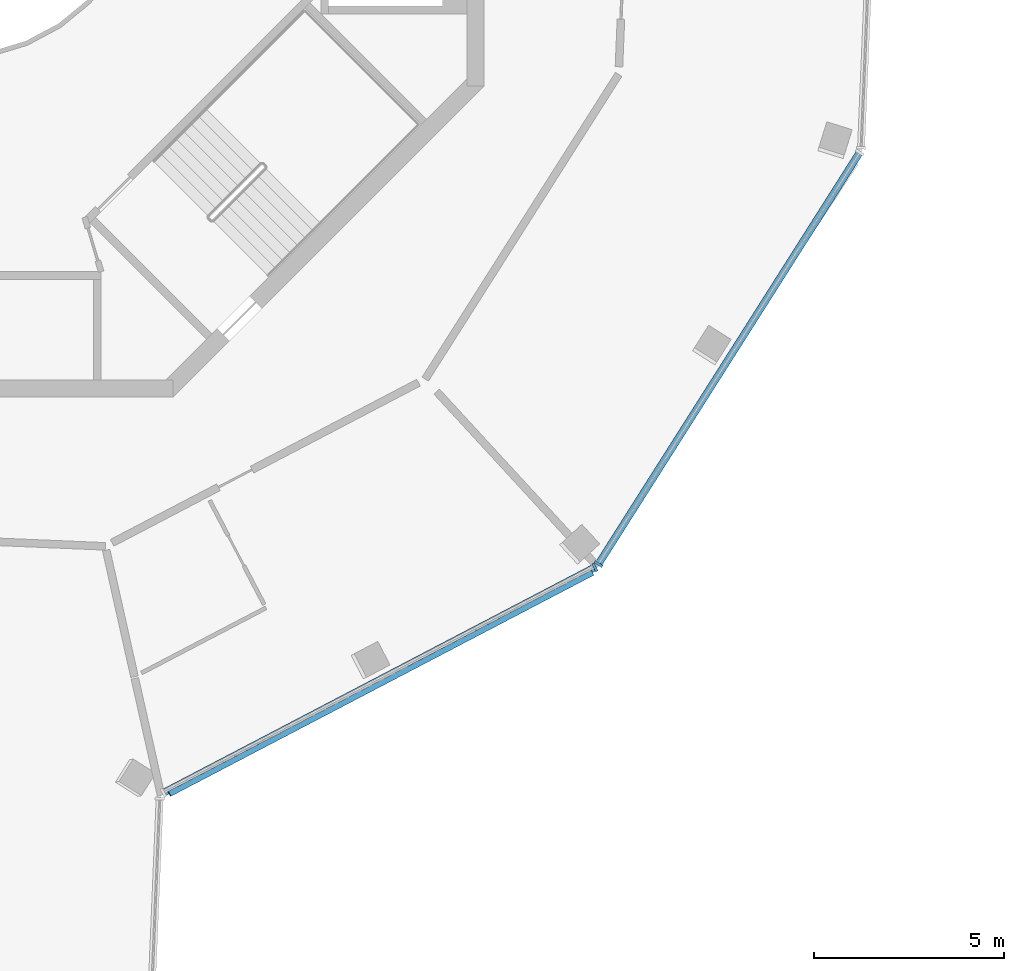
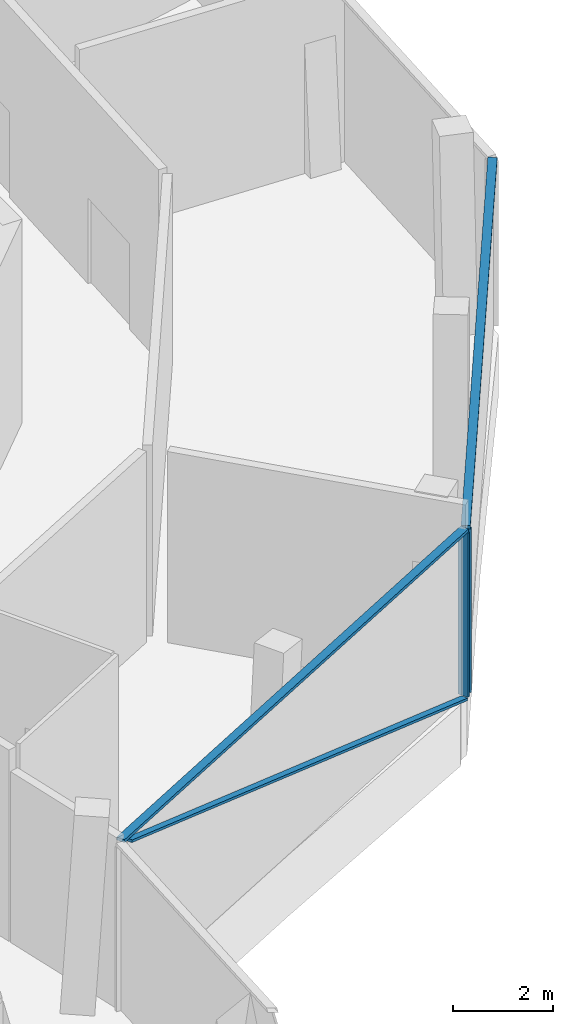
# One storey, part 3 of 21: 5 members, 2 elements without a shape of their own.
"""IFC4 building model written with IfcOpenShell, lengths in metres."""

from ifc_helpers import new_model, si_unit, direction, frame, origin, origin_2d, place, context, subcontext, project, spatial, rectangle, extrude, material, layer, layer_set, material_profile, profile_set, type_object, element, aggregate, save


model = new_model("IFC4")

# Units and contexts
model_context = context("Model", 3, precision=1e-05, world=origin(), true_north=direction((0.0, 1.0)))
body_context = subcontext(model_context, "Body", "Model", "MODEL_VIEW")
ifc_project = project(units=[si_unit("LENGTHUNIT", "METRE"), si_unit("AREAUNIT", "SQUARE_METRE"), si_unit("VOLUMEUNIT", "CUBIC_METRE"), si_unit("PLANEANGLEUNIT", "RADIAN"), si_unit("MASSUNIT", "GRAM", prefix="KILO")], contexts=[model_context])

# Site, building, storey
site_placement = place(None, origin())
site = spatial("IfcSite", under=ifc_project, at=site_placement, CompositionType="ELEMENT")
building_placement = place(site_placement, origin())
building = spatial("IfcBuilding", under=site, at=building_placement, Name="Verdalira Terraces Hotel", CompositionType="ELEMENT")
storey_placement = place(building_placement, frame((0.0, 0.0, 269.0)))
storey = spatial("IfcBuildingStorey", under=building, at=storey_placement, Name="L66", CompositionType="ELEMENT", Elevation=269.0)

# Curtain wall, member
ifc_material_1 = material(Name="Clear glass", Category="glass")
ifc_layer = layer(ifc_material_1, 0.239990234375)
ifc_layer_set = layer_set([ifc_layer], Name="CW5 curtain wall")
curtain_wall_type = type_object("IfcCurtainWallType", Name="CW5 curtain wall", PredefinedType="NOTDEFINED", material=ifc_layer_set)
curtain_wall_1_placement = place(storey_placement, origin())
curtain_wall_1 = element("IfcCurtainWall", 1, at=curtain_wall_1_placement, inside=storey, type_object=curtain_wall_type, Name="CW5 curtain wall L66 edge 25", PredefinedType="NOTDEFINED")
ifc_material_2 = material(Name="Terracotta frame", Category="masonry")
ifc_material_profile_1 = material_profile(ifc_material_2, rectangle(XDim=0.070068, YDim=0.23999, at=origin_2d()), Name="MU 70x240")
ifc_profile_set_1 = profile_set([ifc_material_profile_1], Name="Terracotta frame")
member_type_1 = type_object("IfcMemberType", Name="CW5 mullion 70x240", PredefinedType="MULLION", material=ifc_profile_set_1)
member_1_placement = place(storey_placement, frame((16.918457, -18.494629, 0.0), z_axis=(0.0, 0.0, 1.0), x_axis=(0.886203579, 0.463296035, 0.0)))
member_1 = element("IfcMember", 2, at=member_1_placement, type_object=member_type_1, Name="CW5 mullion", PredefinedType="MULLION", context=body_context, shape_type="SweptSolid", body=[
    extrude(rectangle(XDim=0.070068, YDim=0.23999, at=origin_2d()), origin(), (0.0, 0.0, 1.0), 4.014893),
])

curtain_wall_2_placement = place(storey_placement, origin())
curtain_wall_2 = element("IfcCurtainWall", 3, at=curtain_wall_2_placement, inside=storey, type_object=curtain_wall_type, Name="CW5 curtain wall L66 edge 26", PredefinedType="NOTDEFINED")
member_2_placement = place(storey_placement, frame((17.01416, -18.406738, 0.0), z_axis=(0.0, 0.0, 1.0), x_axis=(0.535826795, 0.844327926, 0.0)))
member_2 = element("IfcMember", 4, at=member_2_placement, type_object=member_type_1, Name="CW5 mullion", PredefinedType="MULLION", context=body_context, shape_type="SweptSolid", body=[
    extrude(rectangle(XDim=0.070068, YDim=0.23999, at=origin_2d()), origin(), (0.0, 0.0, 1.0), 4.014893),
])

# Member
ifc_material_3 = material(Name="Terracotta frame", Category="masonry")
ifc_material_profile_2 = material_profile(ifc_material_3, rectangle(XDim=0.189941, YDim=0.074951, at=origin_2d()), Name="TR 75x190")
ifc_profile_set_2 = profile_set([ifc_material_profile_2], Name="Terracotta frame")
member_type_2 = type_object("IfcMemberType", Name="CW5 transom 75x190", PredefinedType="USERDEFINED", material=ifc_profile_set_2)
member_3_placement = place(storey_placement, frame((5.510498, -24.458496, 4.05249), z_axis=(0.886212914, 0.46327818, 0.0), x_axis=(-0.46327818, 0.886212914, 0.0)))
member_3 = element("IfcMember", 5, at=member_3_placement, type_object=member_type_2, Name="CW5 transom", ObjectType="TRANSOM", PredefinedType="USERDEFINED", context=body_context, shape_type="SweptSolid", body=[
    extrude(rectangle(XDim=0.189941, YDim=0.074951, at=origin_2d()), origin(), (0.0, 0.0, 1.0), 12.907959),
])

member_4_placement = place(storey_placement, frame((16.995361, -18.436279, 4.05249), z_axis=(0.535829621, 0.844326132, 0.0), x_axis=(-0.844326132, 0.535829621, 0.0)))
member_4 = element("IfcMember", 6, at=member_4_placement, type_object=member_type_2, Name="CW5 transom", ObjectType="TRANSOM", PredefinedType="USERDEFINED", context=body_context, shape_type="SweptSolid", body=[
    extrude(rectangle(XDim=0.189941, YDim=0.074951, at=origin_2d()), origin(), (0.0, 0.0, 1.0), 12.919434),
])

aggregate(curtain_wall_2, [member_2, member_4])

ifc_material_4 = material(Name="Terracotta frame", Category="masonry")
ifc_material_profile_3 = material_profile(ifc_material_4, rectangle(XDim=0.149902, YDim=0.060059, at=origin_2d()), Name="GB 60x150")
ifc_profile_set_3 = profile_set([ifc_material_profile_3], Name="Terracotta frame")
member_type_3 = type_object("IfcMemberType", Name="Diagonal glazing bar 60x150", PredefinedType="USERDEFINED", material=ifc_profile_set_3)
member_5_placement = place(storey_placement, frame((5.699951, -24.468994, 3.98584), z_axis=(0.84539143, 0.441955853, -0.29998059), x_axis=(-0.463292655, 0.886205346, 0.0)))
member_5 = element("IfcMember", 7, at=member_5_placement, type_object=member_type_3, Name="Diagonal glazing bar", ObjectType="GLAZING BAR", PredefinedType="USERDEFINED", context=body_context, shape_type="SweptSolid", body=[
    extrude(rectangle(XDim=0.149902, YDim=0.060059, at=origin_2d()), origin(), (0.0, 0.0, 1.0), 13.189209),
])

aggregate(curtain_wall_1, [member_1, member_3, member_5])

save(model, "model.ifc")
